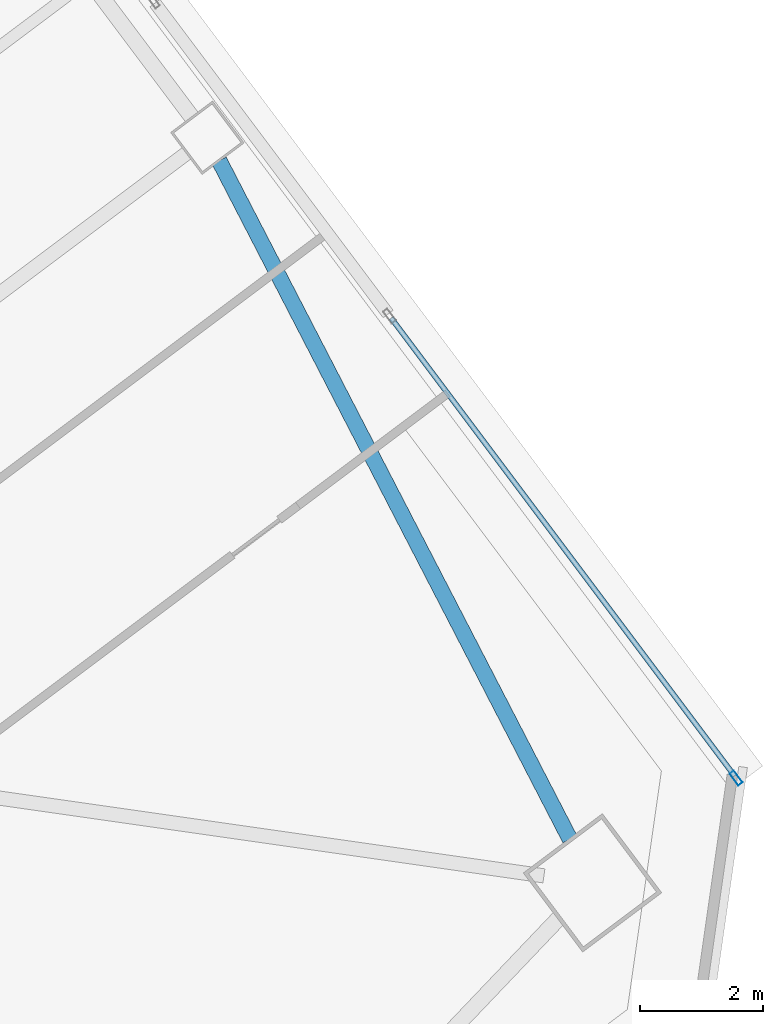
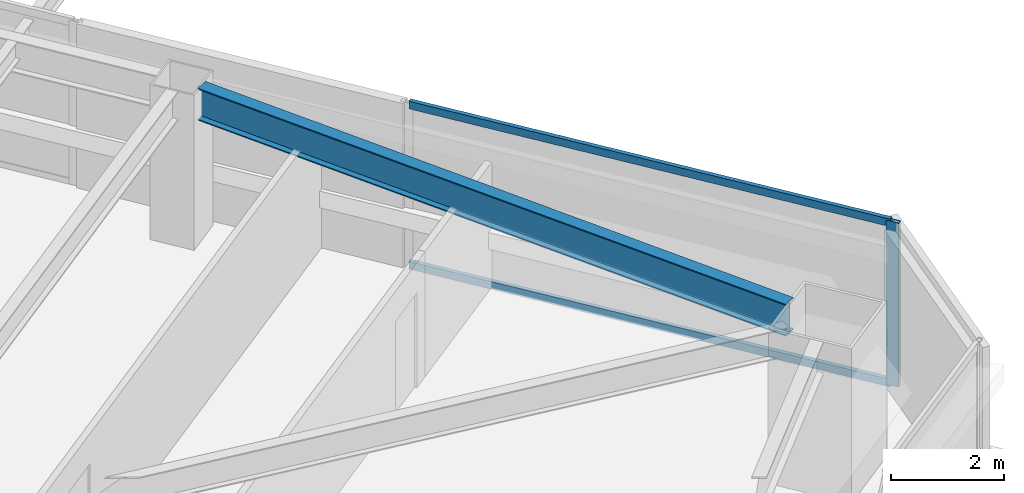
# One storey, part 25 of 46: 3 members, 1 beam, 1 element without a shape of its own.
"""IFC4 building model written with IfcOpenShell, lengths in metres."""

from ifc_helpers import new_model, si_unit, direction, frame, origin, origin_2d, place, context, subcontext, project, spatial, hollow_rectangle, i_section, extrude, material, material_profile, profile_set, type_object, element, aggregate, save


model = new_model("IFC4")

# Units and contexts
model_context = context("Model", 3, precision=1e-05, world=origin(), true_north=direction((0.0, 1.0)))
body_context = subcontext(model_context, "Body", "Model", "MODEL_VIEW")
ifc_project = project(units=[si_unit("LENGTHUNIT", "METRE"), si_unit("AREAUNIT", "SQUARE_METRE"), si_unit("VOLUMEUNIT", "CUBIC_METRE"), si_unit("PLANEANGLEUNIT", "RADIAN"), si_unit("MASSUNIT", "GRAM", prefix="KILO")], contexts=[model_context])

# Site, building, storey
site_placement = place(None, origin())
site = spatial("IfcSite", under=ifc_project, at=site_placement, CompositionType="ELEMENT")
building_placement = place(site_placement, origin())
building = spatial("IfcBuilding", under=site, at=building_placement, Name="Tashvorn Skyway Center", CompositionType="ELEMENT")
storey_placement = place(building_placement, frame((0.0, 0.0, 38.800048828125)))
storey = spatial("IfcBuildingStorey", under=building, at=storey_placement, Name="L09", CompositionType="ELEMENT", Elevation=38.800048828125)

# Beam
ifc_material_1 = material(Name="Steel ASTM A992 Grade 50", Category="steel")
ifc_material_profile_1 = material_profile(ifc_material_1, i_section(OverallWidth=0.256103515625, OverallDepth=0.693115234375, WebThickness=0.014404296875, FlangeThickness=0.023681640625, at=origin_2d()), Name="W27X114")
ifc_profile_set_1 = profile_set([ifc_material_profile_1], Name="Steel ASTM A992 Grade 50")
beam_type = type_object("IfcBeamType", Name="BM-SPANDREL-W27X114", PredefinedType="SPANDREL", material=ifc_profile_set_1)
beam_placement = place(storey_placement, frame((139.954833984375, 28.9462890625, 3.00341796875), z_axis=(-0.459233413919, 0.888315637339, 0.0), x_axis=(-0.888315637339, -0.459233413919, 0.0)))
element("IfcBeam", 1, at=beam_placement, inside=storey, type_object=beam_type, Name="Tower 2 L09 Spandrel Beam 04", PredefinedType="SPANDREL", context=body_context, shape_type="SweptSolid", body=[
    extrude(i_section(OverallWidth=0.256103515625, OverallDepth=0.693115234375, WebThickness=0.014404296875, FlangeThickness=0.023681640625, at=origin_2d()), origin(), (0.0, 0.0, 1.0), 12.37255859375),
])

# Curtain wall, members
ifc_material_2 = material(Name="Thermally broken bronze-anodized aluminium 6063-T6", Category="aluminium")
curtain_wall_type = type_object("IfcCurtainWallType", Name="CW-CW-Z1", PredefinedType="NOTDEFINED", material=ifc_material_2)
curtain_wall_placement = place(storey_placement, origin())
curtain_wall = element("IfcCurtainWall", 2, at=curtain_wall_placement, inside=storey, type_object=curtain_wall_type, Name="Tower 2 L09 East Unitised Curtain Wall Glazing Group 3", PredefinedType="NOTDEFINED")
ifc_material_profile_2 = material_profile(ifc_material_2, hollow_rectangle(XDim=0.0849609375, YDim=0.239990234375, WallThickness=0.0048828125, at=origin_2d()), Name="ALU-MULL-85x240")
ifc_profile_set_2 = profile_set([ifc_material_profile_2], Name="Thermally broken bronze-anodized aluminium 6063-T6")
member_type_1 = type_object("IfcMemberType", Name="CWM-CW-Z1", PredefinedType="MULLION", material=ifc_profile_set_2)
member_1_placement = place(storey_placement, frame((142.646484375, 29.93798828125, 0.0), z_axis=(0.0, 0.0, 1.0), x_axis=(0.799999999998, 0.600000000002, 0.0)))
member_1 = element("IfcMember", 3, at=member_1_placement, type_object=member_type_1, Name="CW-Z1 mullion 2", PredefinedType="MULLION", context=body_context, shape_type="SweptSolid", body=[
    extrude(hollow_rectangle(XDim=0.0849609375, YDim=0.239990234375, WallThickness=0.0048828125, at=origin_2d()), origin(), (0.0, 0.0, 1.0), 3.550048828125),
])
ifc_material_profile_3 = material_profile(ifc_material_2, hollow_rectangle(XDim=0.0849609375, YDim=0.1650390625, WallThickness=0.0048828125, at=origin_2d()), Name="ALU-TRAN-85x165")
ifc_profile_set_3 = profile_set([ifc_material_profile_3], Name="Thermally broken bronze-anodized aluminium 6063-T6")
member_type_2 = type_object("IfcMemberType", Name="CWT-CW-Z1", PredefinedType="USERDEFINED", material=ifc_profile_set_3)
member_2_placement = place(storey_placement, frame((137.05908203125, 37.387939453125, 0.04248046875), z_axis=(0.6, -0.8, 0.0), x_axis=(0.8, 0.6, 0.0)))
member_2 = element("IfcMember", 4, at=member_2_placement, type_object=member_type_2, Name="CW-Z1 transom 1.1", ObjectType="TRANSOM", PredefinedType="USERDEFINED", context=body_context, shape_type="SweptSolid", body=[
    extrude(hollow_rectangle(XDim=0.0849609375, YDim=0.1650390625, WallThickness=0.0048828125, at=origin_2d()), origin(), (0.0, 0.0, 1.0), 9.27001953125),
])
member_3_placement = place(storey_placement, frame((137.05908203125, 37.387939453125, 3.507568359375), z_axis=(0.6, -0.8, 0.0), x_axis=(0.8, 0.6, 0.0)))
member_3 = element("IfcMember", 5, at=member_3_placement, type_object=member_type_2, Name="CW-Z1 transom 1.2", ObjectType="TRANSOM", PredefinedType="USERDEFINED", context=body_context, shape_type="SweptSolid", body=[
    extrude(hollow_rectangle(XDim=0.0849609375, YDim=0.1650390625, WallThickness=0.0048828125, at=origin_2d()), origin(), (0.0, 0.0, 1.0), 9.27001953125),
])
aggregate(curtain_wall, [member_1, member_2, member_3])

save(model, "model.ifc")
